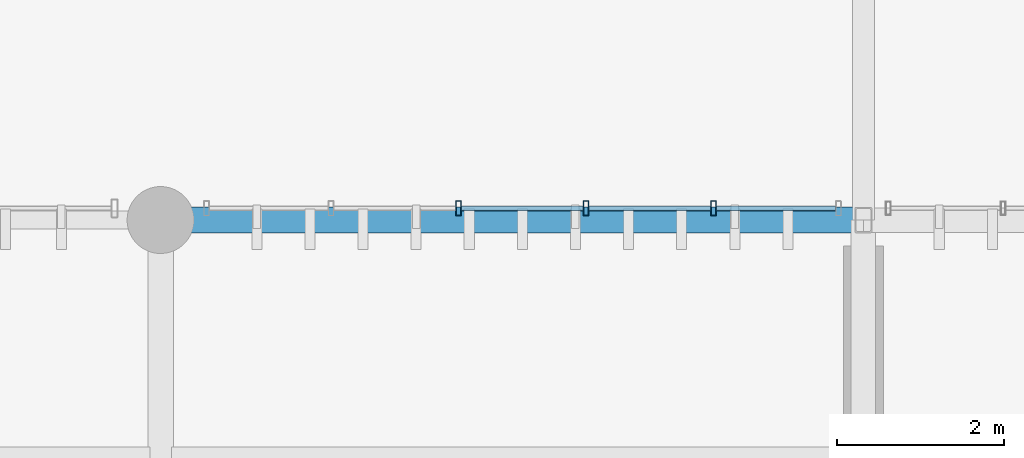
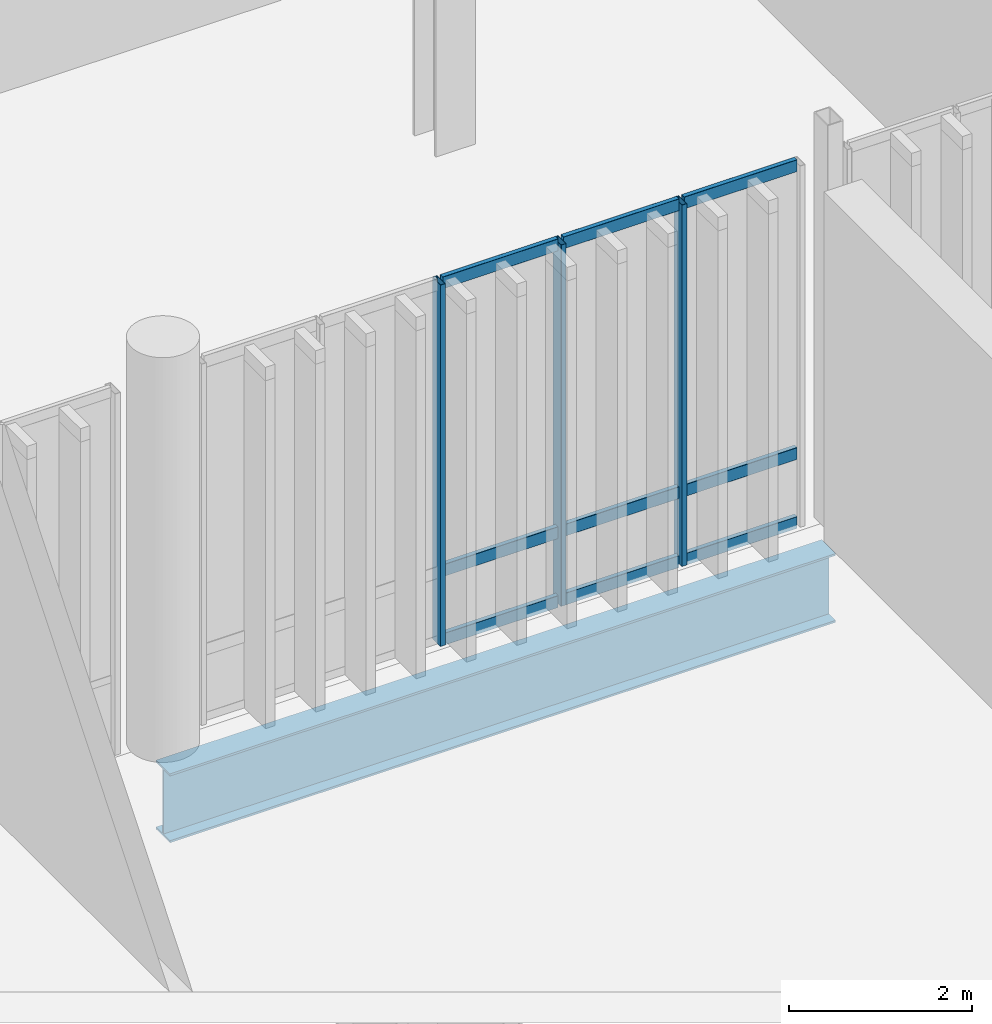
# One storey, part 19 of 112: 12 members, 1 beam, 1 element without a shape of its own.
"""IFC4 building model written with IfcOpenShell, lengths in metres."""

from ifc_helpers import new_model, si_unit, direction, frame, origin_with_axes, origin_2d_with_axis, place, context, subcontext, project, spatial, hollow_rectangle, i_section, extrude, material, material_profile, profile_set, type_object, element, aggregate, save


model = new_model("IFC4")

# Units and contexts
model_context = context("Model", 3, precision=1e-05, world=origin_with_axes(), true_north=direction((0.0, 1.0)))
body_context = subcontext(model_context, "Body", "Model", "MODEL_VIEW")
ifc_project = project(units=[si_unit("LENGTHUNIT", "METRE"), si_unit("AREAUNIT", "SQUARE_METRE"), si_unit("VOLUMEUNIT", "CUBIC_METRE"), si_unit("PLANEANGLEUNIT", "RADIAN"), si_unit("MASSUNIT", "GRAM", prefix="KILO"), si_unit("THERMODYNAMICTEMPERATUREUNIT", "KELVIN")], contexts=[model_context])

# Site, building, storey
site_placement = place(None, origin_with_axes())
site = spatial("IfcSite", under=ifc_project, at=site_placement, CompositionType="ELEMENT")
building_placement = place(site_placement, origin_with_axes())
building = spatial("IfcBuilding", under=site, at=building_placement, Name="Montbau Bow Law Courts", CompositionType="ELEMENT")
storey_placement = place(building_placement, origin_with_axes())
storey = spatial("IfcBuildingStorey", under=building, at=storey_placement, Name="L00", CompositionType="ELEMENT", Elevation=0.0)

# Beam
ifc_material_1 = material(Name="Steel CSA G40.21 Grade 350W (350 MPa)", Category="steel")
ifc_material_profile_1 = material_profile(ifc_material_1, i_section(OverallWidth=0.306, OverallDepth=0.919, WebThickness=0.0173, FlangeThickness=0.0279, at=origin_2d_with_axis()), Name="W920X253", Category="Main", Priority=0)
ifc_profile_set_1 = profile_set([ifc_material_profile_1], Name="Steel CSA G40.21 Grade 350W (350 MPa)")
beam_type = type_object("IfcBeamType", Name="B-FLR-01", PredefinedType="BEAM", material=ifc_profile_set_1)
beam_placement = place(None, frame((30.6, 30.6, -0.8), z_axis=(1.0, 0.0, 0.0), x_axis=(0.0, 1.0, 0.0)))
element("IfcBeam", 1, at=beam_placement, inside=storey, type_object=beam_type, Name="BM-L00-S0172:bm2_0175", PredefinedType="BEAM", context=body_context, shape_type="SweptSolid", body=[
    extrude(i_section(OverallWidth=0.306, OverallDepth=0.919, WebThickness=0.0173, FlangeThickness=0.0279, at=origin_2d_with_axis()), origin_with_axes(), (0.0, 0.0, 1.0), 8.4),
])

# Curtain wall, members
ifc_material_2 = material(Name="Thermally Broken Extruded Aluminium AA 6063-T6", Category="aluminium")
curtain_wall_type = type_object("IfcCurtainWallType", Name="CW-TRC-01", PredefinedType="NOTDEFINED", material=ifc_material_2)
curtain_wall_placement = place(None, frame((31.115, 30.74, 0.0), z_axis=(0.0, 0.0, 1.0), x_axis=(1.0, 0.0, 0.0)))
curtain_wall = element("IfcCurtainWall", 2, at=curtain_wall_placement, inside=storey, type_object=curtain_wall_type, Name="CW-L00-004:cw_0004", PredefinedType="NOTDEFINED")
ifc_material_profile_2 = material_profile(ifc_material_2, hollow_rectangle(XDim=0.065, YDim=0.18, WallThickness=0.005, InnerFilletRadius=0.01, OuterFilletRadius=0.005, at=origin_2d_with_axis()), Name="CWM-180X65", Category="Main", Priority=0)
ifc_profile_set_2 = profile_set([ifc_material_profile_2], Name="Thermally Broken Extruded Aluminium AA 6063-T6")
member_type_1 = type_object("IfcMemberType", Name="M-MUL-02", PredefinedType="MULLION", material=ifc_profile_set_2)
member_1_placement = place(None, frame((34.162, 30.74, 0.0), z_axis=(0.0, 0.0, 1.0), x_axis=(1.0, 0.0, 0.0)))
member_1 = element("IfcMember", 3, at=member_1_placement, type_object=member_type_1, Name="CW-L00-004-M03:cw_0004_M03", PredefinedType="MULLION", context=body_context, shape_type="SweptSolid", body=[
    extrude(hollow_rectangle(XDim=0.065, YDim=0.18, WallThickness=0.005, InnerFilletRadius=0.01, OuterFilletRadius=0.005, at=origin_2d_with_axis()), origin_with_axes(), (0.0, 0.0, 1.0), 4.82),
])
member_2_placement = place(None, frame((35.685, 30.74, 0.0), z_axis=(0.0, 0.0, 1.0), x_axis=(1.0, 0.0, 0.0)))
member_2 = element("IfcMember", 4, at=member_2_placement, type_object=member_type_1, Name="CW-L00-004-M04:cw_0004_M04", PredefinedType="MULLION", context=body_context, shape_type="SweptSolid", body=[
    extrude(hollow_rectangle(XDim=0.065, YDim=0.18, WallThickness=0.005, InnerFilletRadius=0.01, OuterFilletRadius=0.005, at=origin_2d_with_axis()), origin_with_axes(), (0.0, 0.0, 1.0), 4.82),
])
member_3_placement = place(None, frame((37.209, 30.74, 0.0), z_axis=(0.0, 0.0, 1.0), x_axis=(1.0, 0.0, 0.0)))
member_3 = element("IfcMember", 5, at=member_3_placement, type_object=member_type_1, Name="CW-L00-004-M05:cw_0004_M05", PredefinedType="MULLION", context=body_context, shape_type="SweptSolid", body=[
    extrude(hollow_rectangle(XDim=0.065, YDim=0.18, WallThickness=0.005, InnerFilletRadius=0.01, OuterFilletRadius=0.005, at=origin_2d_with_axis()), origin_with_axes(), (0.0, 0.0, 1.0), 4.82),
])
ifc_material_profile_3 = material_profile(ifc_material_2, hollow_rectangle(XDim=0.06, YDim=0.16, WallThickness=0.004, InnerFilletRadius=0.008, OuterFilletRadius=0.004, at=origin_2d_with_axis()), Name="CWT-160X60", Category="Main", Priority=0)
ifc_profile_set_3 = profile_set([ifc_material_profile_3], Name="Thermally Broken Extruded Aluminium AA 6063-T6")
member_type_2 = type_object("IfcMemberType", Name="M-TRN-01", PredefinedType="USERDEFINED", material=ifc_profile_set_3)
member_4_placement = place(None, frame((34.197, 30.74, 0.03), z_axis=(1.0, 0.0, 0.0), x_axis=(0.0, 1.0, 0.0)))
member_4 = element("IfcMember", 6, at=member_4_placement, type_object=member_type_2, Name="CW-L00-004-T03-1:cw_0004_T03_1", ObjectType="TRANSOM", PredefinedType="USERDEFINED", context=body_context, shape_type="SweptSolid", body=[
    extrude(hollow_rectangle(XDim=0.06, YDim=0.16, WallThickness=0.004, InnerFilletRadius=0.008, OuterFilletRadius=0.004, at=origin_2d_with_axis()), origin_with_axes(), (0.0, 0.0, 1.0), 1.454),
])
member_5_placement = place(None, frame((34.197, 30.74, 0.95), z_axis=(1.0, 0.0, 0.0), x_axis=(0.0, 1.0, 0.0)))
member_5 = element("IfcMember", 7, at=member_5_placement, type_object=member_type_2, Name="CW-L00-004-T03-2:cw_0004_T03_2", ObjectType="TRANSOM", PredefinedType="USERDEFINED", context=body_context, shape_type="SweptSolid", body=[
    extrude(hollow_rectangle(XDim=0.06, YDim=0.16, WallThickness=0.004, InnerFilletRadius=0.008, OuterFilletRadius=0.004, at=origin_2d_with_axis()), origin_with_axes(), (0.0, 0.0, 1.0), 1.454),
])
member_6_placement = place(None, frame((34.197, 30.74, 4.79), z_axis=(1.0, 0.0, 0.0), x_axis=(0.0, 1.0, 0.0)))
member_6 = element("IfcMember", 8, at=member_6_placement, type_object=member_type_2, Name="CW-L00-004-T03-3:cw_0004_T03_3", ObjectType="TRANSOM", PredefinedType="USERDEFINED", context=body_context, shape_type="SweptSolid", body=[
    extrude(hollow_rectangle(XDim=0.06, YDim=0.16, WallThickness=0.004, InnerFilletRadius=0.008, OuterFilletRadius=0.004, at=origin_2d_with_axis()), origin_with_axes(), (0.0, 0.0, 1.0), 1.454),
])
member_7_placement = place(None, frame((35.719, 30.74, 0.03), z_axis=(1.0, 0.0, 0.0), x_axis=(0.0, 1.0, 0.0)))
member_7 = element("IfcMember", 9, at=member_7_placement, type_object=member_type_2, Name="CW-L00-004-T04-1:cw_0004_T04_1", ObjectType="TRANSOM", PredefinedType="USERDEFINED", context=body_context, shape_type="SweptSolid", body=[
    extrude(hollow_rectangle(XDim=0.06, YDim=0.16, WallThickness=0.004, InnerFilletRadius=0.008, OuterFilletRadius=0.004, at=origin_2d_with_axis()), origin_with_axes(), (0.0, 0.0, 1.0), 1.456),
])
member_8_placement = place(None, frame((35.719, 30.74, 0.95), z_axis=(1.0, 0.0, 0.0), x_axis=(0.0, 1.0, 0.0)))
member_8 = element("IfcMember", 10, at=member_8_placement, type_object=member_type_2, Name="CW-L00-004-T04-2:cw_0004_T04_2", ObjectType="TRANSOM", PredefinedType="USERDEFINED", context=body_context, shape_type="SweptSolid", body=[
    extrude(hollow_rectangle(XDim=0.06, YDim=0.16, WallThickness=0.004, InnerFilletRadius=0.008, OuterFilletRadius=0.004, at=origin_2d_with_axis()), origin_with_axes(), (0.0, 0.0, 1.0), 1.456),
])
member_9_placement = place(None, frame((35.719, 30.74, 4.79), z_axis=(1.0, 0.0, 0.0), x_axis=(0.0, 1.0, 0.0)))
member_9 = element("IfcMember", 11, at=member_9_placement, type_object=member_type_2, Name="CW-L00-004-T04-3:cw_0004_T04_3", ObjectType="TRANSOM", PredefinedType="USERDEFINED", context=body_context, shape_type="SweptSolid", body=[
    extrude(hollow_rectangle(XDim=0.06, YDim=0.16, WallThickness=0.004, InnerFilletRadius=0.008, OuterFilletRadius=0.004, at=origin_2d_with_axis()), origin_with_axes(), (0.0, 0.0, 1.0), 1.456),
])
member_10_placement = place(None, frame((37.243, 30.74, 0.03), z_axis=(1.0, 0.0, 0.0), x_axis=(0.0, 1.0, 0.0)))
member_10 = element("IfcMember", 12, at=member_10_placement, type_object=member_type_2, Name="CW-L00-004-T05-1:cw_0004_T05_1", ObjectType="TRANSOM", PredefinedType="USERDEFINED", context=body_context, shape_type="SweptSolid", body=[
    extrude(hollow_rectangle(XDim=0.06, YDim=0.16, WallThickness=0.004, InnerFilletRadius=0.008, OuterFilletRadius=0.004, at=origin_2d_with_axis()), origin_with_axes(), (0.0, 0.0, 1.0), 1.423),
])
member_11_placement = place(None, frame((37.243, 30.74, 0.95), z_axis=(1.0, 0.0, 0.0), x_axis=(0.0, 1.0, 0.0)))
member_11 = element("IfcMember", 13, at=member_11_placement, type_object=member_type_2, Name="CW-L00-004-T05-2:cw_0004_T05_2", ObjectType="TRANSOM", PredefinedType="USERDEFINED", context=body_context, shape_type="SweptSolid", body=[
    extrude(hollow_rectangle(XDim=0.06, YDim=0.16, WallThickness=0.004, InnerFilletRadius=0.008, OuterFilletRadius=0.004, at=origin_2d_with_axis()), origin_with_axes(), (0.0, 0.0, 1.0), 1.423),
])
member_12_placement = place(None, frame((37.243, 30.74, 4.79), z_axis=(1.0, 0.0, 0.0), x_axis=(0.0, 1.0, 0.0)))
member_12 = element("IfcMember", 14, at=member_12_placement, type_object=member_type_2, Name="CW-L00-004-T05-3:cw_0004_T05_3", ObjectType="TRANSOM", PredefinedType="USERDEFINED", context=body_context, shape_type="SweptSolid", body=[
    extrude(hollow_rectangle(XDim=0.06, YDim=0.16, WallThickness=0.004, InnerFilletRadius=0.008, OuterFilletRadius=0.004, at=origin_2d_with_axis()), origin_with_axes(), (0.0, 0.0, 1.0), 1.423),
])
aggregate(curtain_wall, [member_1, member_2, member_3, member_4, member_5, member_6, member_7, member_8, member_9, member_10, member_11, member_12])

save(model, "model.ifc")
